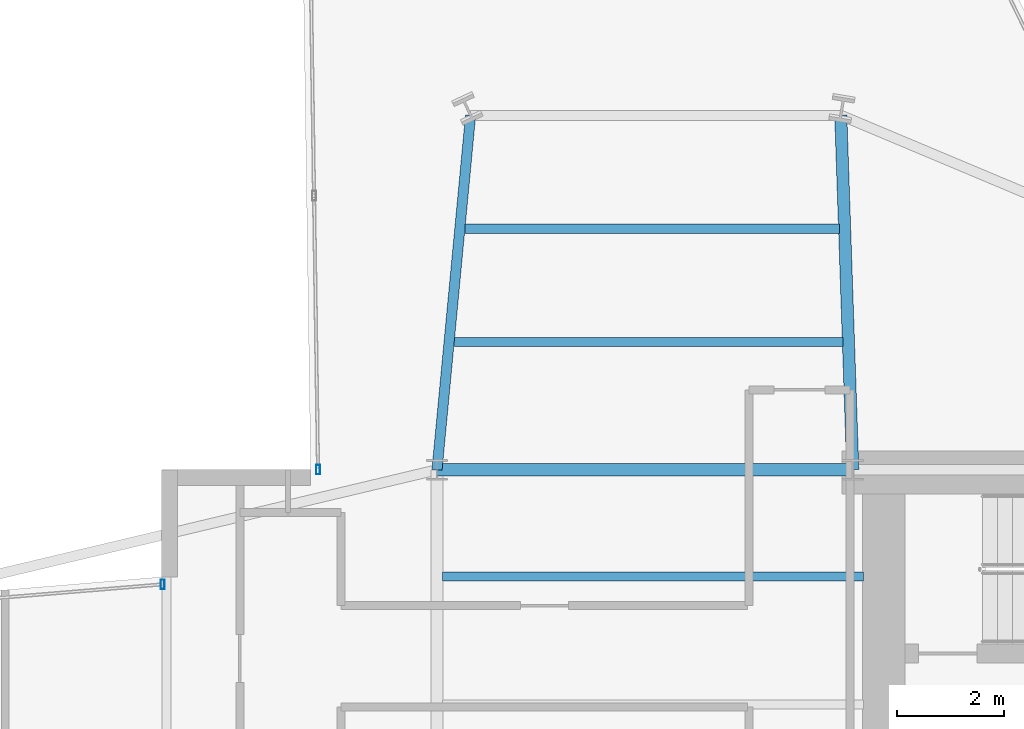
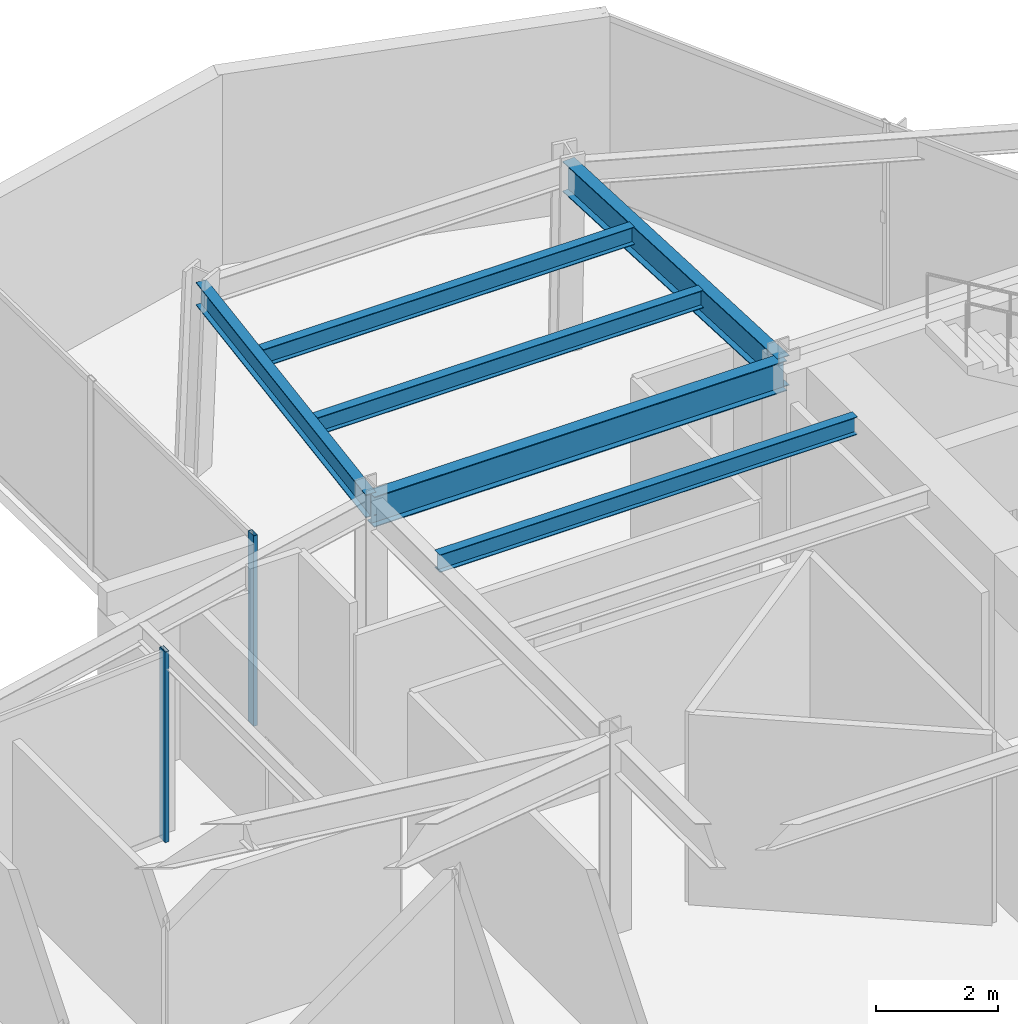
# One storey, part 10 of 24: 6 beams, 2 members, 2 elements without a shape of their own.
"""IFC4 building model written with IfcOpenShell, lengths in metres."""

from ifc_helpers import new_model, si_unit, direction, frame, origin, origin_2d, place, context, subcontext, project, spatial, hollow_rectangle, i_section, extrude, material, layer, layer_set, material_profile, profile_set, type_object, element, aggregate, save


model = new_model("IFC4")

# Units and contexts
model_context = context("Model", 3, precision=1e-05, world=origin(), true_north=direction((0.0, 1.0)))
body_context = subcontext(model_context, "Body", "Model", "MODEL_VIEW")
ifc_project = project(units=[si_unit("LENGTHUNIT", "METRE"), si_unit("AREAUNIT", "SQUARE_METRE"), si_unit("VOLUMEUNIT", "CUBIC_METRE"), si_unit("PLANEANGLEUNIT", "RADIAN"), si_unit("MASSUNIT", "GRAM", prefix="KILO")], contexts=[model_context])

# Site, building, storey
site_placement = place(None, origin())
site = spatial("IfcSite", under=ifc_project, at=site_placement, CompositionType="ELEMENT")
building_placement = place(site_placement, origin())
building = spatial("IfcBuilding", under=site, at=building_placement, Name="Veymaron Broadcast Tower", CompositionType="ELEMENT")
storey_placement = place(building_placement, frame((0.0, 0.0, 124.949951171875)))
storey = spatial("IfcBuildingStorey", under=building, at=storey_placement, Name="L28", CompositionType="ELEMENT", Elevation=124.949951171875)

# Beams
ifc_material_1 = material(Name="Structural steel ASTM A992 Gr 50", Category="steel")
ifc_material_profile_1 = material_profile(ifc_material_1, i_section(OverallWidth=0.22802734375, OverallDepth=0.60791015625, WebThickness=0.01123046875, FlangeThickness=0.017333984375, at=origin_2d()), Name="W610X113")
ifc_profile_set_1 = profile_set([ifc_material_profile_1], Name="Structural steel ASTM A992 Gr 50")
beam_type_1 = type_object("IfcBeamType", Name="BM-FG2", PredefinedType="BEAM", material=ifc_profile_set_1)
beam_1_placement = place(storey_placement, frame((31.199951171875, 32.0, 3.506103515625), z_axis=(1.0, 0.0, 0.0), x_axis=(0.0, 1.0, 0.0)))
element("IfcBeam", 1, at=beam_1_placement, inside=storey, type_object=beam_type_1, Name="L28 primary structural floor girder", PredefinedType="BEAM", context=body_context, shape_type="SweptSolid", body=[
    extrude(i_section(OverallWidth=0.22802734375, OverallDepth=0.60791015625, WebThickness=0.01123046875, FlangeThickness=0.017333984375, at=origin_2d()), origin(), (0.0, 0.0, 1.0), 7.800048828125),
])
beam_2_placement = place(storey_placement, frame((39.0, 32.0, 3.506103515625), z_axis=(-0.033830392706, 0.999427588437, 0.0), x_axis=(-0.999427588437, -0.033830392706, 0.0)))
element("IfcBeam", 2, at=beam_2_placement, inside=storey, type_object=beam_type_1, Name="L28 primary structural floor girder", PredefinedType="BEAM", context=body_context, shape_type="SweptSolid", body=[
    extrude(i_section(OverallWidth=0.22802734375, OverallDepth=0.60791015625, WebThickness=0.01123046875, FlangeThickness=0.017333984375, at=origin_2d()), origin(), (0.0, 0.0, 1.0), 6.65380859375),
])
ifc_material_profile_2 = material_profile(ifc_material_1, i_section(OverallWidth=0.1708984375, OverallDepth=0.35498046875, WebThickness=0.007080078125, FlangeThickness=0.01171875, at=origin_2d()), Name="W360X51")
ifc_profile_set_2 = profile_set([ifc_material_profile_2], Name="Structural steel ASTM A992 Gr 50")
beam_type_2 = type_object("IfcBeamType", Name="BM-JS2", PredefinedType="JOIST", material=ifc_profile_set_2)
beam_3_placement = place(storey_placement, frame((31.52685546875, 34.39404296875, 3.632568359375), z_axis=(1.0, 0.0, 0.0), x_axis=(0.0, 1.0, 0.0)))
element("IfcBeam", 3, at=beam_3_placement, inside=storey, type_object=beam_type_2, Name="L28 Arm-B secondary joist 1", PredefinedType="JOIST", context=body_context, shape_type="SweptSolid", body=[
    extrude(i_section(OverallWidth=0.1708984375, OverallDepth=0.35498046875, WebThickness=0.007080078125, FlangeThickness=0.01171875, at=origin_2d()), origin(), (0.0, 0.0, 1.0), 7.292236328125),
])
beam_4_placement = place(storey_placement, frame((31.728515625, 36.52197265625, 3.632568359375), z_axis=(1.0, 0.0, 0.0), x_axis=(0.0, 1.0, 0.0)))
element("IfcBeam", 4, at=beam_4_placement, inside=storey, type_object=beam_type_2, Name="L28 Arm-B secondary joist 2", PredefinedType="JOIST", context=body_context, shape_type="SweptSolid", body=[
    extrude(i_section(OverallWidth=0.1708984375, OverallDepth=0.35498046875, WebThickness=0.007080078125, FlangeThickness=0.01171875, at=origin_2d()), origin(), (0.0, 0.0, 1.0), 7.0185546875),
])
beam_5_placement = place(storey_placement, frame((31.300048828125, 30.0, 3.632568359375), z_axis=(1.0, 0.0, 0.0), x_axis=(0.0, 1.0, 0.0)))
element("IfcBeam", 5, at=beam_5_placement, inside=storey, type_object=beam_type_2, Name="L28 Hub secondary joist 4", PredefinedType="JOIST", context=body_context, shape_type="SweptSolid", body=[
    extrude(i_section(OverallWidth=0.1708984375, OverallDepth=0.35498046875, WebThickness=0.007080078125, FlangeThickness=0.01171875, at=origin_2d()), origin(), (0.0, 0.0, 1.0), 7.89990234375),
])
ifc_material_profile_3 = material_profile(ifc_material_1, i_section(OverallWidth=0.19091796875, OverallDepth=0.4599609375, WebThickness=0.010009765625, FlangeThickness=0.01611328125, at=origin_2d()), Name="W460X82")
ifc_profile_set_3 = profile_set([ifc_material_profile_3], Name="Structural steel ASTM A992 Gr 50")
beam_type_3 = type_object("IfcBeamType", Name="BM-SP1", PredefinedType="SPANDREL", material=ifc_profile_set_3)
beam_6_placement = place(storey_placement, frame((31.199951171875, 32.0, 3.580078125), z_axis=(0.094334757201, 0.995540533371, 0.0), x_axis=(-0.995540533371, 0.094334757201, 0.0)))
element("IfcBeam", 6, at=beam_6_placement, inside=storey, type_object=beam_type_3, Name="L28 primary structural floor girder", PredefinedType="SPANDREL", context=body_context, shape_type="SweptSolid", body=[
    extrude(i_section(OverallWidth=0.19091796875, OverallDepth=0.4599609375, WebThickness=0.010009765625, FlangeThickness=0.01611328125, at=origin_2d()), origin(), (0.0, 0.0, 1.0), 6.6796875),
])

# Curtain wall, member
ifc_material_2 = material(Name="Anodised aluminium AA 6063-T6 and laminated low-E dark glass", Category="aluminium")
ifc_layer = layer(ifc_material_2, 0.179931640625)
ifc_layer_set = layer_set([ifc_layer], Name="Anodised aluminium AA 6063-T6 and laminated low-E dark glass")
curtain_wall_type = type_object("IfcCurtainWallType", Name="CW-SYS-03", PredefinedType="NOTDEFINED", material=ifc_layer_set)
curtain_wall_1_placement = place(storey_placement, origin())
curtain_wall_1 = element("IfcCurtainWall", 7, at=curtain_wall_1_placement, inside=storey, type_object=curtain_wall_type, Name="L28 dark-glass curtain wall CW-L28-E8-1", PredefinedType="NOTDEFINED")
ifc_material_3 = material(Name="Anodised aluminium AA 6063-T6", Category="aluminium")
ifc_material_profile_4 = material_profile(ifc_material_3, hollow_rectangle(XDim=0.074951171875, YDim=0.179931640625, WallThickness=0.0048828125, at=origin_2d()), Name="AL180X75X5")
ifc_profile_set_4 = profile_set([ifc_material_profile_4], Name="Anodised aluminium AA 6063-T6")
member_type = type_object("IfcMemberType", Name="CW-MUL-02", PredefinedType="MULLION", material=ifc_profile_set_4)
member_1_placement = place(storey_placement, frame((28.96826171875, 32.001953125, 0.0), z_axis=(0.0, 0.0, 1.0), x_axis=(1.0, 0.0, 0.0)))
member_1 = element("IfcMember", 8, at=member_1_placement, type_object=member_type, Name="CW-L28-E8-1 mullion 2", PredefinedType="MULLION", context=body_context, shape_type="SweptSolid", body=[
    extrude(hollow_rectangle(XDim=0.074951171875, YDim=0.179931640625, WallThickness=0.0048828125, at=origin_2d()), origin(), (0.0, 0.0, 1.0), 3.81005859375),
])
aggregate(curtain_wall_1, [member_1])

curtain_wall_2_placement = place(storey_placement, origin())
curtain_wall_2 = element("IfcCurtainWall", 9, at=curtain_wall_2_placement, inside=storey, type_object=curtain_wall_type, Name="L28 dark-glass curtain wall CW-L28-E11-1", PredefinedType="NOTDEFINED")
member_2_placement = place(storey_placement, frame((26.051513671875, 29.850830078125, 0.0), z_axis=(0.0, 0.0, 1.0), x_axis=(1.0, 0.0, 0.0)))
member_2 = element("IfcMember", 10, at=member_2_placement, type_object=member_type, Name="CW-L28-E11-1 mullion 0", PredefinedType="MULLION", context=body_context, shape_type="SweptSolid", body=[
    extrude(hollow_rectangle(XDim=0.074951171875, YDim=0.179931640625, WallThickness=0.0048828125, at=origin_2d()), origin(), (0.0, 0.0, 1.0), 3.81005859375),
])
aggregate(curtain_wall_2, [member_2])

save(model, "model.ifc")
